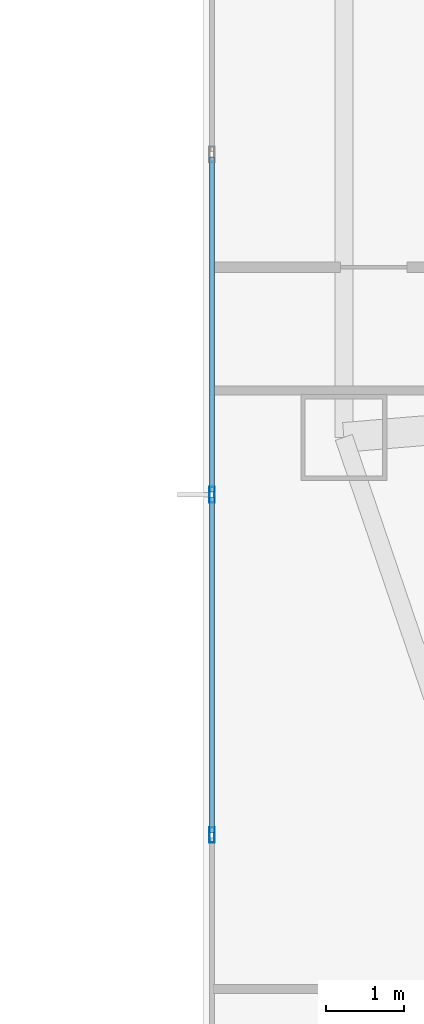
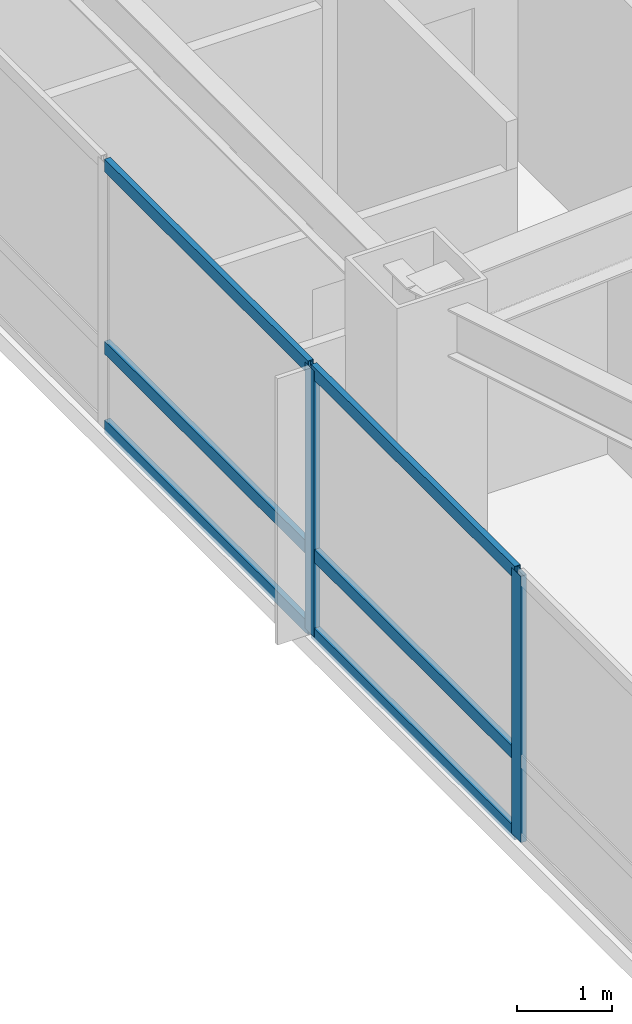
# One storey, part 4 of 19: 8 members, 1 element without a shape of its own.
"""IFC4 building model written with IfcOpenShell, lengths in metres."""

from ifc_helpers import new_model, si_unit, direction, frame, origin, origin_2d, place, context, subcontext, project, spatial, hollow_rectangle, extrude, material, material_profile, profile_set, type_object, element, aggregate, save


model = new_model("IFC4")

# Units and contexts
model_context = context("Model", 3, precision=1e-05, world=origin(), true_north=direction((0.0, 1.0)))
body_context = subcontext(model_context, "Body", "Model", "MODEL_VIEW")
ifc_project = project(units=[si_unit("LENGTHUNIT", "METRE"), si_unit("AREAUNIT", "SQUARE_METRE"), si_unit("VOLUMEUNIT", "CUBIC_METRE"), si_unit("PLANEANGLEUNIT", "RADIAN"), si_unit("MASSUNIT", "GRAM", prefix="KILO")], contexts=[model_context])

# Site, building, storey
site_placement = place(None, origin())
site = spatial("IfcSite", under=ifc_project, at=site_placement, CompositionType="ELEMENT")
building_placement = place(site_placement, origin())
building = spatial("IfcBuilding", under=site, at=building_placement, Name="Khamvora Tower", CompositionType="ELEMENT")
storey_placement = place(building_placement, frame((0.0, 0.0, 58.85009765625)))
storey = spatial("IfcBuildingStorey", under=building, at=storey_placement, Name="L14", CompositionType="ELEMENT", Elevation=58.85009765625)

# Curtain wall, members
ifc_material = material(Name="Anodised Aluminium 6063-T6", Category="aluminium")
curtain_wall_type = type_object("IfcCurtainWallType", Name="CW-SYS-02", PredefinedType="NOTDEFINED", material=ifc_material)
curtain_wall_placement = place(storey_placement, origin())
curtain_wall = element("IfcCurtainWall", 1, at=curtain_wall_placement, inside=storey, type_object=curtain_wall_type, Name="L14 stick curtain wall 02.1", PredefinedType="NOTDEFINED")
ifc_material_profile_1 = material_profile(ifc_material, hollow_rectangle(XDim=0.070068359375, YDim=0.199951171875, WallThickness=0.0048828125, at=origin_2d()), Name="MUL70x200x5")
ifc_profile_set_1 = profile_set([ifc_material_profile_1], Name="Anodised Aluminium 6063-T6")
member_type_1 = type_object("IfcMemberType", Name="CW-SYS-02-MUL", PredefinedType="MULLION", material=ifc_profile_set_1)
member_1_placement = place(storey_placement, frame((4.110107421875, 11.678466796875, 0.0), z_axis=(0.0, 0.0, 1.0), x_axis=(-1.0, 0.0, 0.0)))
member_1 = element("IfcMember", 2, at=member_1_placement, type_object=member_type_1, Name="CW-02 mullion 2", PredefinedType="MULLION", context=body_context, shape_type="SweptSolid", body=[
    extrude(hollow_rectangle(XDim=0.070068359375, YDim=0.199951171875, WallThickness=0.0048828125, at=origin_2d()), origin(), (0.0, 0.0, 1.0), 3.429931640625),
])
member_2_placement = place(storey_placement, frame((4.110107421875, 16.0400390625, 0.0), z_axis=(0.0, 0.0, 1.0), x_axis=(-1.0, 0.0, 0.0)))
member_2 = element("IfcMember", 3, at=member_2_placement, type_object=member_type_1, Name="CW-02 mullion 3", PredefinedType="MULLION", context=body_context, shape_type="SweptSolid", body=[
    extrude(hollow_rectangle(XDim=0.070068359375, YDim=0.199951171875, WallThickness=0.0048828125, at=origin_2d()), origin(), (0.0, 0.0, 1.0), 3.429931640625),
])
ifc_material_profile_2 = material_profile(ifc_material, hollow_rectangle(XDim=0.070068359375, YDim=0.1650390625, WallThickness=0.0048828125, at=origin_2d()), Name="TRN70x165x5")
ifc_profile_set_2 = profile_set([ifc_material_profile_2], Name="Anodised Aluminium 6063-T6")
member_type_2 = type_object("IfcMemberType", Name="CW-SYS-02-TRN", PredefinedType="USERDEFINED", material=ifc_profile_set_2)
member_3_placement = place(storey_placement, frame((4.110107421875, 11.71337890625, 0.034912109375), z_axis=(0.0, 1.0, 0.0), x_axis=(-1.0, 0.0, 0.0)))
member_3 = element("IfcMember", 4, at=member_3_placement, type_object=member_type_2, Name="CW-02 transom 2.1", ObjectType="TRANSOM", PredefinedType="USERDEFINED", context=body_context, shape_type="SweptSolid", body=[
    extrude(hollow_rectangle(XDim=0.070068359375, YDim=0.1650390625, WallThickness=0.0048828125, at=origin_2d()), origin(), (0.0, 0.0, 1.0), 4.29150390625),
])
member_4_placement = place(storey_placement, frame((4.110107421875, 11.71337890625, 1.0498046875), z_axis=(0.0, 1.0, 0.0), x_axis=(-1.0, 0.0, 0.0)))
member_4 = element("IfcMember", 5, at=member_4_placement, type_object=member_type_2, Name="CW-02 transom 2.2", ObjectType="TRANSOM", PredefinedType="USERDEFINED", context=body_context, shape_type="SweptSolid", body=[
    extrude(hollow_rectangle(XDim=0.070068359375, YDim=0.1650390625, WallThickness=0.0048828125, at=origin_2d()), origin(), (0.0, 0.0, 1.0), 4.29150390625),
])
member_5_placement = place(storey_placement, frame((4.110107421875, 11.71337890625, 3.39501953125), z_axis=(0.0, 1.0, 0.0), x_axis=(-1.0, 0.0, 0.0)))
member_5 = element("IfcMember", 6, at=member_5_placement, type_object=member_type_2, Name="CW-02 transom 2.3", ObjectType="TRANSOM", PredefinedType="USERDEFINED", context=body_context, shape_type="SweptSolid", body=[
    extrude(hollow_rectangle(XDim=0.070068359375, YDim=0.1650390625, WallThickness=0.0048828125, at=origin_2d()), origin(), (0.0, 0.0, 1.0), 4.29150390625),
])
member_6_placement = place(storey_placement, frame((4.110107421875, 16.074951171875, 0.034912109375), z_axis=(0.0, 1.0, 0.0), x_axis=(-1.0, 0.0, 0.0)))
member_6 = element("IfcMember", 7, at=member_6_placement, type_object=member_type_2, Name="CW-02 transom 3.1", ObjectType="TRANSOM", PredefinedType="USERDEFINED", context=body_context, shape_type="SweptSolid", body=[
    extrude(hollow_rectangle(XDim=0.070068359375, YDim=0.1650390625, WallThickness=0.0048828125, at=origin_2d()), origin(), (0.0, 0.0, 1.0), 4.29150390625),
])
member_7_placement = place(storey_placement, frame((4.110107421875, 16.074951171875, 1.0498046875), z_axis=(0.0, 1.0, 0.0), x_axis=(-1.0, 0.0, 0.0)))
member_7 = element("IfcMember", 8, at=member_7_placement, type_object=member_type_2, Name="CW-02 transom 3.2", ObjectType="TRANSOM", PredefinedType="USERDEFINED", context=body_context, shape_type="SweptSolid", body=[
    extrude(hollow_rectangle(XDim=0.070068359375, YDim=0.1650390625, WallThickness=0.0048828125, at=origin_2d()), origin(), (0.0, 0.0, 1.0), 4.29150390625),
])
member_8_placement = place(storey_placement, frame((4.110107421875, 16.074951171875, 3.39501953125), z_axis=(0.0, 1.0, 0.0), x_axis=(-1.0, 0.0, 0.0)))
member_8 = element("IfcMember", 9, at=member_8_placement, type_object=member_type_2, Name="CW-02 transom 3.3", ObjectType="TRANSOM", PredefinedType="USERDEFINED", context=body_context, shape_type="SweptSolid", body=[
    extrude(hollow_rectangle(XDim=0.070068359375, YDim=0.1650390625, WallThickness=0.0048828125, at=origin_2d()), origin(), (0.0, 0.0, 1.0), 4.29150390625),
])
aggregate(curtain_wall, [member_1, member_2, member_3, member_4, member_5, member_6, member_7, member_8])

save(model, "model.ifc")
